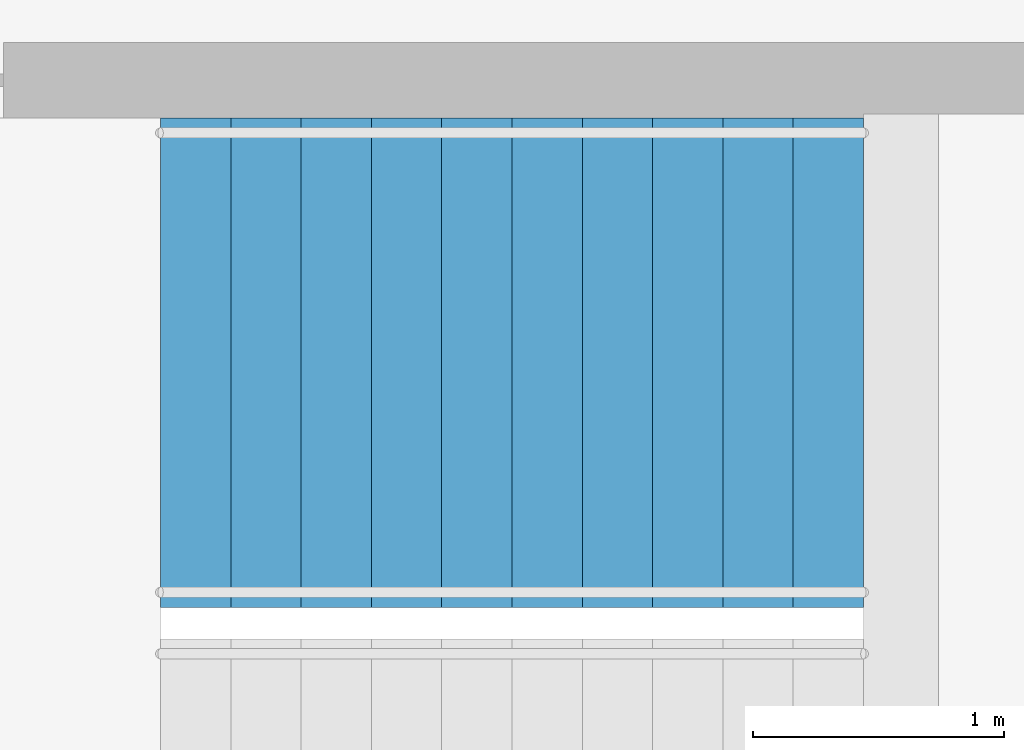
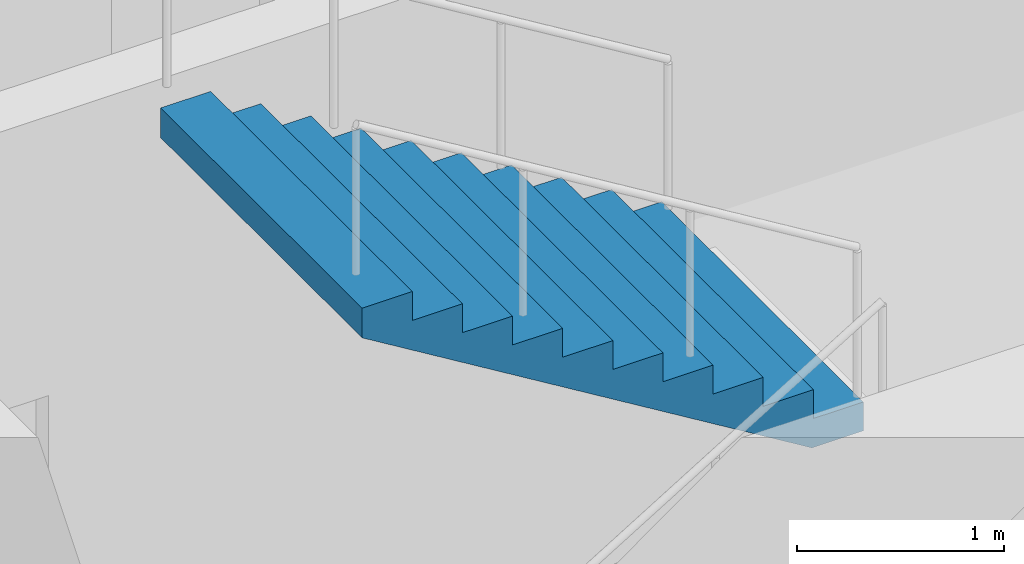
# One storey, part 19 of 22: 1 stair flight, 1 element without a shape of its own.
"""IFC4 building model written with IfcOpenShell, lengths in metres."""

import ifcopenshell
import ifcopenshell.guid

model = None  # the IFC model being written
_history = None  # IfcOwnerHistory: only IFC2X3 demands one
_inside = {}  # id of a spatial element -> (the spatial element, [elements in it])
_under = {}  # id of a project, library or spatial element -> (it, [spatial elements below it])
_declared = {}  # id of a project -> (the project, [libraries it declares])
_typed = {}  # id of a type object -> (the type object, [elements of that type])
_made_of = {}  # id of a material, layer set ... -> (it, [elements and type objects made of it])


def new_model(schema):
    """Start an empty IFC model of exactly this schema.

    Asked for "IFC4X3", IfcOpenShell would pick the latest addendum, in which some entities
    have other attributes; the version numbers below select the first issue.
    IFC2X3 requires an IfcOwnerHistory on every rooted entity: one is made here for all.
    """
    global model, _history
    if schema == "IFC4X3":
        model = ifcopenshell.file(schema_version=(4, 3, 0, 0))
    else:
        model = ifcopenshell.file(schema=schema)
    _inside.clear()
    _under.clear()
    _declared.clear()
    _typed.clear()
    _made_of.clear()
    _history = None
    if model.schema == "IFC2X3":
        org = make("IfcOrganization", Name="unknown")
        user = make(
            "IfcPersonAndOrganization",
            ThePerson=make("IfcPerson", FamilyName="unknown"),
            TheOrganization=org,
        )
        app = make(
            "IfcApplication",
            ApplicationDeveloper=org,
            Version="unknown",
            ApplicationFullName="unknown",
            ApplicationIdentifier="unknown",
        )
        _history = make(
            "IfcOwnerHistory",
            OwningUser=user,
            OwningApplication=app,
            ChangeAction="ADDED",
            CreationDate=0,
        )
    return model


def make(cls, **values):
    """One entity of the class cls with the attributes given. An attribute that is None is left unset."""
    return model.create_entity(
        cls, **{name: value for name, value in values.items() if value is not None}
    )


def rooted(cls, **values):
    """An entity with a GlobalId (a new one), such as an element, a storey or a relation."""
    return make(cls, GlobalId=ifcopenshell.guid.new(), OwnerHistory=_history, **values)


def si_unit(unit_type, name, prefix=None):
    """IfcSIUnit, for example si_unit("LENGTHUNIT", "METRE", prefix="MILLI")."""
    return make("IfcSIUnit", UnitType=unit_type, Prefix=prefix, Name=name)


def assignment(units):
    """IfcUnitAssignment: the units of a project."""
    return None if units is None else make("IfcUnitAssignment", Units=units)


def point(xyz):
    """IfcCartesianPoint."""
    return None if xyz is None else make("IfcCartesianPoint", Coordinates=xyz)


def direction(xyz):
    """IfcDirection."""
    return None if xyz is None else make("IfcDirection", DirectionRatios=xyz)


def frame(location, z_axis=None, x_axis=None):
    """IfcAxis2Placement3D, a coordinate frame: its origin and axes. An axis left out is left unset."""
    return make(
        "IfcAxis2Placement3D",
        Location=point(location),
        Axis=direction(z_axis),
        RefDirection=direction(x_axis),
    )


def origin():
    """The frame at (0, 0, 0) with its axes left unset."""
    return frame((0.0, 0.0, 0.0))


def place(relative_to, where):
    """IfcLocalPlacement: puts the frame where relative to a parent placement (None: the world)."""
    return make(
        "IfcLocalPlacement", PlacementRelTo=relative_to, RelativePlacement=where
    )


def context(
    kind, dimensions, precision=None, world=None, true_north=None, identifier=None
):
    """IfcGeometricRepresentationContext, for example the 3D "Model" context."""
    return make(
        "IfcGeometricRepresentationContext",
        ContextIdentifier=identifier,
        ContextType=kind,
        CoordinateSpaceDimension=dimensions,
        Precision=precision,
        WorldCoordinateSystem=world,
        TrueNorth=true_north,
    )


def subcontext(parent, identifier, kind, view, scale=None):
    """IfcGeometricRepresentationSubContext, for example "Body" below "Model"."""
    return make(
        "IfcGeometricRepresentationSubContext",
        ContextIdentifier=identifier,
        ContextType=kind,
        ParentContext=parent,
        TargetScale=scale,
        TargetView=view,
    )


def project(units=None, contexts=None):
    """IfcProject with its units and contexts."""
    return rooted(
        "IfcProject",
        Name="project",
        RepresentationContexts=contexts,
        UnitsInContext=assignment(units),
    )


def spatial(cls, under=None, at=None, **own):
    """A site, building, storey or space (cls), placed at a placement, below another one or the project."""
    s = rooted(cls, ObjectPlacement=at, **own)
    if under is not None:
        _under.setdefault(under.id(), (under, []))[1].append(s)
    return s


def point_list(points):
    """IfcCartesianPointList2D or 3D."""
    cls = (
        "IfcCartesianPointList2D" if len(points[0]) == 2 else "IfcCartesianPointList3D"
    )
    return make(cls, CoordList=points)


def triangles(points, corners, closed=None, point_numbers=None):
    """IfcTriangulatedFaceSet: each triangle names its three corners, points numbered from 1."""
    return make(
        "IfcTriangulatedFaceSet",
        Coordinates=point_list(points),
        Closed=closed,
        CoordIndex=corners,
        PnIndex=point_numbers,
    )


def shape(context_of_items, identifier, shape_type, items):
    """IfcShapeRepresentation: the items that make up one representation, for example the "Body"."""
    return make(
        "IfcShapeRepresentation",
        ContextOfItems=context_of_items,
        RepresentationIdentifier=identifier,
        RepresentationType=shape_type,
        Items=items,
    )


def material(Name=None, Category=None):
    """IfcMaterial."""
    return make("IfcMaterial", Name=Name, Category=Category)


def made_of(thing, what):
    """Note that an element or type object is made of a material, layer set ...; save() writes the relation."""
    if what is not None:
        _made_of.setdefault(what.id(), (what, []))[1].append(thing)
    return thing


def type_object(cls, material=None, **own):
    """A type object (cls), such as IfcWallType, which elements share."""
    return made_of(rooted(cls, **own), material)


def element(
    cls,
    number,
    at=None,
    inside=None,
    cuts=None,
    type_object=None,
    material=None,
    context=None,
    identifier="Body",
    shape_type=None,
    held_by="IfcProductDefinitionShape",
    body=None,
    shapes=None,
    **own,
):
    """One element of the class cls, such as IfcWall. Its Tag is "e" and its number.

    at: its placement. inside: the storey or other place that contains it. cuts: it is an
    opening in that element (IfcRelVoidsElement). A single representation is given by context,
    identifier, shape_type and body (its items); several are given by shapes. held_by: the class
    of the entity that holds the representations. save() writes the other relations.
    """
    e = rooted(cls, Tag="e%d" % number, ObjectPlacement=at, **own)
    if body is not None:
        shapes = [shape(context, identifier, shape_type, body)]
    if shapes is not None:
        e.Representation = make(held_by, Representations=shapes)
    if inside is not None:
        _inside.setdefault(inside.id(), (inside, []))[1].append(e)
    if cuts is not None:
        rooted(
            "IfcRelVoidsElement", RelatingBuildingElement=cuts, RelatedOpeningElement=e
        )
    if type_object is not None:
        _typed.setdefault(type_object.id(), (type_object, []))[1].append(e)
    return made_of(e, material)


def aggregate(whole, parts):
    """IfcRelAggregates: a whole, such as a stair, and the parts it consists of."""
    return rooted("IfcRelAggregates", RelatingObject=whole, RelatedObjects=parts)


def save(model, path):
    """Write the relations noted so far, then the file.

    IfcRelAggregates (storeys below a building ...), IfcRelContainedInSpatialStructure (elements
    in a storey), IfcRelDefinesByType, IfcRelAssociatesMaterial and IfcRelDeclares: one each for
    every whole, place, type object, material and project.
    """
    for whole, parts in _under.values():
        aggregate(whole, parts)
    for where, things in _inside.values():
        rooted(
            "IfcRelContainedInSpatialStructure",
            RelatedElements=things,
            RelatingStructure=where,
        )
    for kind, things in _typed.values():
        rooted("IfcRelDefinesByType", RelatedObjects=things, RelatingType=kind)
    for what, things in _made_of.values():
        rooted("IfcRelAssociatesMaterial", RelatedObjects=things, RelatingMaterial=what)
    for by, libraries in _declared.values():
        rooted("IfcRelDeclares", RelatingContext=by, RelatedDefinitions=libraries)
    model.write(path)


model = new_model("IFC4")

# Units and contexts
model_context = context("Model", 3, precision=1e-05, world=origin(), true_north=direction((0.0, 1.0)))
body_context = subcontext(model_context, "Body", "Model", "MODEL_VIEW")
ifc_project = project(units=[si_unit("LENGTHUNIT", "METRE"), si_unit("AREAUNIT", "SQUARE_METRE"), si_unit("VOLUMEUNIT", "CUBIC_METRE"), si_unit("PLANEANGLEUNIT", "RADIAN"), si_unit("MASSUNIT", "GRAM", prefix="KILO")], contexts=[model_context])

# Site, building, storey
site_placement = place(None, origin())
site = spatial("IfcSite", under=ifc_project, at=site_placement, CompositionType="ELEMENT")
building_placement = place(site_placement, origin())
building = spatial("IfcBuilding", under=site, at=building_placement, Name="Orbita Commons", CompositionType="ELEMENT")
storey_placement = place(building_placement, frame((0.0, 0.0, 189.85009765625)))
storey = spatial("IfcBuildingStorey", under=building, at=storey_placement, Name="L47", CompositionType="ELEMENT", Elevation=189.85009765625)

# Stair, stair flight
ifc_material_1 = material(Name="Precast concrete C40/50", Category="concrete")
stair_type = type_object("IfcStairType", Name="Exit stair S1 2 flights 11 risers 170", PredefinedType="HALF_TURN_STAIR", material=ifc_material_1)
stair_placement = place(storey_placement, origin())
stair = element("IfcStair", 1, at=stair_placement, inside=storey, type_object=stair_type, Name="Exit stair S1 L47", PredefinedType="HALF_TURN_STAIR")
ifc_material_2 = material(Name="Precast concrete C40/50", Category="concrete")
stair_flight_type = type_object("IfcStairFlightType", Name="Stair flight 11 risers 170 x 280", PredefinedType="STRAIGHT", material=ifc_material_2)
stair_flight_placement = place(storey_placement, frame((23.25, 29.27490234375, 1.875), z_axis=(0.0, 0.0, 1.0), x_axis=(-1.0, 0.0, 0.0)))
stair_flight = element("IfcStairFlight", 2, at=stair_flight_placement, type_object=stair_flight_type, Name="S1 flight 2", NumberOfRisers=11, NumberOfTreads=10, PredefinedType="STRAIGHT", RiserHeight=0.170454545, TreadLength=0.28, context=body_context, shape_type="Tessellation", body=[
    triangles([(0.0, 0.974976, 0.0), (0.0, 0.974976, 0.021307), (0.0, 0.81248, 0.021307), (0.0, 0.81248, 0.0), (0.0, 0.649984, 0.021307), (0.0, 0.649984, 0.0), (0.0, 0.487488, 0.021307), (0.0, 0.487488, 0.0), (0.0, 0.324992, 0.021307), (0.0, 0.324992, 0.0), (0.0, 0.162496, 0.021307), (0.0, 0.162496, 0.0), (0.0, 0.0, 0.021307), (0.0, 0.0, 0.0), (0.0, -0.162496, 0.021307), (0.0, -0.162496, 0.0), (0.0, -0.324992, 0.021307), (0.0, -0.324992, 0.0), (0.0, -0.487488, 0.021307), (0.0, -0.487488, 0.0), (0.0, -0.649984, 0.021307), (0.0, -0.649984, 0.0), (0.0, -0.81248, 0.021307), (0.0, -0.81248, 0.0), (0.0, -0.974976, 0.021307), (0.0, -0.974976, 0.0), (0.0, 0.974976, 0.042614), (0.0, 0.81248, 0.042614), (0.0, 0.649984, 0.042614), (0.0, 0.487488, 0.042614), (0.0, 0.324992, 0.042614), (0.0, 0.162496, 0.042614), (0.0, 0.0, 0.042614), (0.0, -0.162496, 0.042614), (0.0, -0.324992, 0.042614), (0.0, -0.487488, 0.042614), (0.0, -0.649984, 0.042614), (0.0, -0.81248, 0.042614), (0.0, -0.974976, 0.042614), (0.0, 0.974976, 0.06392), (0.0, 0.81248, 0.06392), (0.0, 0.649984, 0.06392), (0.0, 0.487488, 0.06392), (0.0, 0.324992, 0.06392), (0.0, 0.162496, 0.06392), (0.0, 0.0, 0.06392), (0.0, -0.162496, 0.06392), (0.0, -0.324992, 0.06392), (0.0, -0.487488, 0.06392), (0.0, -0.649984, 0.06392), (0.0, -0.81248, 0.06392), (0.0, -0.974976, 0.06392), (0.0, 0.974976, 0.085227), (0.0, 0.81248, 0.085227), (0.0, 0.649984, 0.085227), (0.0, 0.487488, 0.085227), (0.0, 0.324992, 0.085227), (0.0, 0.162496, 0.085227), (0.0, 0.0, 0.085227), (0.0, -0.162496, 0.085227), (0.0, -0.324992, 0.085227), (0.0, -0.487488, 0.085227), (0.0, -0.649984, 0.085227), (0.0, -0.81248, 0.085227), (0.0, -0.974976, 0.085227), (0.0, 0.974976, 0.106534), (0.0, 0.81248, 0.106534), (0.0, 0.649984, 0.106534), (0.0, 0.487488, 0.106534), (0.0, 0.324992, 0.106534), (0.0, 0.162496, 0.106534), (0.0, 0.0, 0.106534), (0.0, -0.162496, 0.106534), (0.0, -0.324992, 0.106534), (0.0, -0.487488, 0.106534), (0.0, -0.649984, 0.106534), (0.0, -0.81248, 0.106534), (0.0, -0.974976, 0.106534), (0.0, 0.974976, 0.127841), (0.0, 0.81248, 0.127841), (0.0, 0.649984, 0.127841), (0.0, 0.487488, 0.127841), (0.0, 0.324992, 0.127841), (0.0, 0.162496, 0.127841), (0.0, 0.0, 0.127841), (0.0, -0.162496, 0.127841), (0.0, -0.324992, 0.127841), (0.0, -0.487488, 0.127841), (0.0, -0.649984, 0.127841), (0.0, -0.81248, 0.127841), (0.0, -0.974976, 0.127841), (0.0, 0.974976, 0.149148), (0.0, 0.81248, 0.149148), (0.0, 0.649984, 0.149148), (0.0, 0.487488, 0.149148), (0.0, 0.324992, 0.149148), (0.0, 0.162496, 0.149148), (0.0, 0.0, 0.149148), (0.0, -0.162496, 0.149148), (0.0, -0.324992, 0.149148), (0.0, -0.487488, 0.149148), (0.0, -0.649984, 0.149148), (0.0, -0.81248, 0.149148), (0.0, -0.974976, 0.149148), (0.0, 0.974976, 0.170455), (0.0, 0.81248, 0.170455), (0.0, 0.649984, 0.170455), (0.0, 0.487488, 0.170455), (0.0, 0.324992, 0.170455), (0.0, 0.162496, 0.170455), (0.0, 0.0, 0.170455), (0.0, -0.162496, 0.170455), (0.0, -0.324992, 0.170455), (0.0, -0.487488, 0.170455), (0.0, -0.649984, 0.170455), (0.0, -0.81248, 0.170455), (0.0, -0.974976, 0.170455), (0.28, 0.974976, 0.170455), (0.28, 0.81248, 0.170455), (0.28, 0.649984, 0.170455), (0.28, 0.487488, 0.170455), (0.28, 0.324992, 0.170455), (0.28, 0.162496, 0.170455), (0.28, 0.0, 0.170455), (0.28, -0.162496, 0.170455), (0.28, -0.324992, 0.170455), (0.28, -0.487488, 0.170455), (0.28, -0.649984, 0.170455), (0.28, -0.81248, 0.170455), (0.28, -0.974976, 0.170455), (0.28, 0.974976, 0.340909), (0.28, 0.81248, 0.340909), (0.28, 0.649984, 0.340909), (0.28, 0.487488, 0.340909), (0.28, 0.324992, 0.340909), (0.28, 0.162496, 0.340909), (0.28, 0.0, 0.340909), (0.28, -0.162496, 0.340909), (0.28, -0.324992, 0.340909), (0.28, -0.487488, 0.340909), (0.28, -0.649984, 0.340909), (0.28, -0.81248, 0.340909), (0.28, -0.974976, 0.340909), (0.56, 0.974976, 0.340909), (0.56, 0.81248, 0.340909), (0.56, 0.649984, 0.340909), (0.56, 0.487488, 0.340909), (0.56, 0.324992, 0.340909), (0.56, 0.162496, 0.340909), (0.56, 0.0, 0.340909), (0.56, -0.162496, 0.340909), (0.56, -0.324992, 0.340909), (0.56, -0.487488, 0.340909), (0.56, -0.649984, 0.340909), (0.56, -0.81248, 0.340909), (0.56, -0.974976, 0.340909), (0.56, 0.974976, 0.511364), (0.56, 0.81248, 0.511364), (0.56, 0.649984, 0.511364), (0.56, 0.487488, 0.511364), (0.56, 0.324992, 0.511364), (0.56, 0.162496, 0.511364), (0.56, 0.0, 0.511364), (0.56, -0.162496, 0.511364), (0.56, -0.324992, 0.511364), (0.56, -0.487488, 0.511364), (0.56, -0.649984, 0.511364), (0.56, -0.81248, 0.511364), (0.56, -0.974976, 0.511364), (0.84, 0.974976, 0.511364), (0.84, 0.81248, 0.511364), (0.84, 0.649984, 0.511364), (0.84, 0.487488, 0.511364), (0.84, 0.324992, 0.511364), (0.84, 0.162496, 0.511364), (0.84, 0.0, 0.511364), (0.84, -0.162496, 0.511364), (0.84, -0.324992, 0.511364), (0.84, -0.487488, 0.511364), (0.84, -0.649984, 0.511364), (0.84, -0.81248, 0.511364), (0.84, -0.974976, 0.511364), (0.84, 0.974976, 0.681818), (0.84, 0.81248, 0.681818), (0.84, 0.649984, 0.681818), (0.84, 0.487488, 0.681818), (0.84, 0.324992, 0.681818), (0.84, 0.162496, 0.681818), (0.84, 0.0, 0.681818), (0.84, -0.162496, 0.681818), (0.84, -0.324992, 0.681818), (0.84, -0.487488, 0.681818), (0.84, -0.649984, 0.681818), (0.84, -0.81248, 0.681818), (0.84, -0.974976, 0.681818), (1.12, 0.974976, 0.681818), (1.12, 0.81248, 0.681818), (1.12, 0.649984, 0.681818), (1.12, 0.487488, 0.681818), (1.12, 0.324992, 0.681818), (1.12, 0.162496, 0.681818), (1.12, 0.0, 0.681818), (1.12, -0.162496, 0.681818), (1.12, -0.324992, 0.681818), (1.12, -0.487488, 0.681818), (1.12, -0.649984, 0.681818), (1.12, -0.81248, 0.681818), (1.12, -0.974976, 0.681818), (1.12, 0.974976, 0.852273), (1.12, 0.81248, 0.852273), (1.12, 0.649984, 0.852273), (1.12, 0.487488, 0.852273), (1.12, 0.324992, 0.852273), (1.12, 0.162496, 0.852273), (1.12, 0.0, 0.852273), (1.12, -0.162496, 0.852273), (1.12, -0.324992, 0.852273), (1.12, -0.487488, 0.852273), (1.12, -0.649984, 0.852273), (1.12, -0.81248, 0.852273), (1.12, -0.974976, 0.852273), (1.4, 0.974976, 0.852273), (1.4, 0.81248, 0.852273), (1.4, 0.649984, 0.852273), (1.4, 0.487488, 0.852273), (1.4, 0.324992, 0.852273), (1.4, 0.162496, 0.852273), (1.4, 0.0, 0.852273), (1.4, -0.162496, 0.852273), (1.4, -0.324992, 0.852273), (1.4, -0.487488, 0.852273), (1.4, -0.649984, 0.852273), (1.4, -0.81248, 0.852273), (1.4, -0.974976, 0.852273), (1.4, 0.974976, 1.022727), (1.4, 0.81248, 1.022727), (1.4, 0.649984, 1.022727), (1.4, 0.487488, 1.022727), (1.4, 0.324992, 1.022727), (1.4, 0.162496, 1.022727), (1.4, 0.0, 1.022727), (1.4, -0.162496, 1.022727), (1.4, -0.324992, 1.022727), (1.4, -0.487488, 1.022727), (1.4, -0.649984, 1.022727), (1.4, -0.81248, 1.022727), (1.4, -0.974976, 1.022727), (1.68, 0.974976, 1.022727), (1.68, 0.81248, 1.022727), (1.68, 0.649984, 1.022727), (1.68, 0.487488, 1.022727), (1.68, 0.324992, 1.022727), (1.68, 0.162496, 1.022727), (1.68, 0.0, 1.022727), (1.68, -0.162496, 1.022727), (1.68, -0.324992, 1.022727), (1.68, -0.487488, 1.022727), (1.68, -0.649984, 1.022727), (1.68, -0.81248, 1.022727), (1.68, -0.974976, 1.022727), (1.68, 0.974976, 1.193182), (1.68, 0.81248, 1.193182), (1.68, 0.649984, 1.193182), (1.68, 0.487488, 1.193182), (1.68, 0.324992, 1.193182), (1.68, 0.162496, 1.193182), (1.68, 0.0, 1.193182), (1.68, -0.162496, 1.193182), (1.68, -0.324992, 1.193182), (1.68, -0.487488, 1.193182), (1.68, -0.649984, 1.193182), (1.68, -0.81248, 1.193182), (1.68, -0.974976, 1.193182), (1.96, 0.974976, 1.193182), (1.96, 0.81248, 1.193182), (1.96, 0.649984, 1.193182), (1.96, 0.487488, 1.193182), (1.96, 0.324992, 1.193182), (1.96, 0.162496, 1.193182), (1.96, 0.0, 1.193182), (1.96, -0.162496, 1.193182), (1.96, -0.324992, 1.193182), (1.96, -0.487488, 1.193182), (1.96, -0.649984, 1.193182), (1.96, -0.81248, 1.193182), (1.96, -0.974976, 1.193182), (1.96, 0.974976, 1.363636), (1.96, 0.81248, 1.363636), (1.96, 0.649984, 1.363636), (1.96, 0.487488, 1.363636), (1.96, 0.324992, 1.363636), (1.96, 0.162496, 1.363636), (1.96, 0.0, 1.363636), (1.96, -0.162496, 1.363636), (1.96, -0.324992, 1.363636), (1.96, -0.487488, 1.363636), (1.96, -0.649984, 1.363636), (1.96, -0.81248, 1.363636), (1.96, -0.974976, 1.363636), (2.24, 0.974976, 1.363636), (2.24, 0.81248, 1.363636), (2.24, 0.649984, 1.363636), (2.24, 0.487488, 1.363636), (2.24, 0.324992, 1.363636), (2.24, 0.162496, 1.363636), (2.24, 0.0, 1.363636), (2.24, -0.162496, 1.363636), (2.24, -0.324992, 1.363636), (2.24, -0.487488, 1.363636), (2.24, -0.649984, 1.363636), (2.24, -0.81248, 1.363636), (2.24, -0.974976, 1.363636), (2.24, 0.974976, 1.534091), (2.24, 0.81248, 1.534091), (2.24, 0.649984, 1.534091), (2.24, 0.487488, 1.534091), (2.24, 0.324992, 1.534091), (2.24, 0.162496, 1.534091), (2.24, 0.0, 1.534091), (2.24, -0.162496, 1.534091), (2.24, -0.324992, 1.534091), (2.24, -0.487488, 1.534091), (2.24, -0.649984, 1.534091), (2.24, -0.81248, 1.534091), (2.24, -0.974976, 1.534091), (2.52, 0.974976, 1.534091), (2.52, 0.81248, 1.534091), (2.52, 0.649984, 1.534091), (2.52, 0.487488, 1.534091), (2.52, 0.324992, 1.534091), (2.52, 0.162496, 1.534091), (2.52, 0.0, 1.534091), (2.52, -0.162496, 1.534091), (2.52, -0.324992, 1.534091), (2.52, -0.487488, 1.534091), (2.52, -0.649984, 1.534091), (2.52, -0.81248, 1.534091), (2.52, -0.974976, 1.534091), (2.52, 0.974976, 1.704545), (2.52, 0.81248, 1.704545), (2.52, 0.649984, 1.704545), (2.52, 0.487488, 1.704545), (2.52, 0.324992, 1.704545), (2.52, 0.162496, 1.704545), (2.52, 0.0, 1.704545), (2.52, -0.162496, 1.704545), (2.52, -0.324992, 1.704545), (2.52, -0.487488, 1.704545), (2.52, -0.649984, 1.704545), (2.52, -0.81248, 1.704545), (2.52, -0.974976, 1.704545), (2.8, 0.974976, 1.704545), (2.8, 0.81248, 1.704545), (2.8, 0.649984, 1.704545), (2.8, 0.487488, 1.704545), (2.8, 0.324992, 1.704545), (2.8, 0.162496, 1.704545), (2.8, 0.0, 1.704545), (2.8, -0.162496, 1.704545), (2.8, -0.324992, 1.704545), (2.8, -0.487488, 1.704545), (2.8, -0.649984, 1.704545), (2.8, -0.81248, 1.704545), (2.8, -0.974976, 1.704545), (2.8, 0.974976, 1.682609), (2.8, 0.81248, 1.682609), (2.8, 0.649984, 1.682609), (2.8, 0.487488, 1.682609), (2.8, 0.324992, 1.682609), (2.8, 0.162496, 1.682609), (2.8, 0.0, 1.682609), (2.8, -0.162496, 1.682609), (2.8, -0.324992, 1.682609), (2.8, -0.487488, 1.682609), (2.8, -0.649984, 1.682609), (2.8, -0.81248, 1.682609), (2.8, -0.974976, 1.682609), (2.8, 0.974976, 1.660672), (2.8, 0.81248, 1.660672), (2.8, 0.649984, 1.660672), (2.8, 0.487488, 1.660672), (2.8, 0.324992, 1.660672), (2.8, 0.162496, 1.660672), (2.8, 0.0, 1.660672), (2.8, -0.162496, 1.660672), (2.8, -0.324992, 1.660672), (2.8, -0.487488, 1.660672), (2.8, -0.649984, 1.660672), (2.8, -0.81248, 1.660672), (2.8, -0.974976, 1.660672), (2.8, 0.974976, 1.638735), (2.8, 0.81248, 1.638735), (2.8, 0.649984, 1.638735), (2.8, 0.487488, 1.638735), (2.8, 0.324992, 1.638735), (2.8, 0.162496, 1.638735), (2.8, 0.0, 1.638735), (2.8, -0.162496, 1.638735), (2.8, -0.324992, 1.638735), (2.8, -0.487488, 1.638735), (2.8, -0.649984, 1.638735), (2.8, -0.81248, 1.638735), (2.8, -0.974976, 1.638735), (2.8, 0.974976, 1.616798), (2.8, 0.81248, 1.616798), (2.8, 0.649984, 1.616798), (2.8, 0.487488, 1.616798), (2.8, 0.324992, 1.616798), (2.8, 0.162496, 1.616798), (2.8, 0.0, 1.616798), (2.8, -0.162496, 1.616798), (2.8, -0.324992, 1.616798), (2.8, -0.487488, 1.616798), (2.8, -0.649984, 1.616798), (2.8, -0.81248, 1.616798), (2.8, -0.974976, 1.616798), (2.8, 0.974976, 1.594861), (2.8, 0.81248, 1.594861), (2.8, 0.649984, 1.594861), (2.8, 0.487488, 1.594861), (2.8, 0.324992, 1.594861), (2.8, 0.162496, 1.594861), (2.8, 0.0, 1.594861), (2.8, -0.162496, 1.594861), (2.8, -0.324992, 1.594861), (2.8, -0.487488, 1.594861), (2.8, -0.649984, 1.594861), (2.8, -0.81248, 1.594861), (2.8, -0.974976, 1.594861), (2.8, 0.974976, 1.572925), (2.8, 0.81248, 1.572925), (2.8, 0.649984, 1.572925), (2.8, 0.487488, 1.572925), (2.8, 0.324992, 1.572925), (2.8, 0.162496, 1.572925), (2.8, 0.0, 1.572925), (2.8, -0.162496, 1.572925), (2.8, -0.324992, 1.572925), (2.8, -0.487488, 1.572925), (2.8, -0.649984, 1.572925), (2.8, -0.81248, 1.572925), (2.8, -0.974976, 1.572925), (2.8, 0.974976, 1.550988), (2.8, 0.81248, 1.550988), (2.8, 0.649984, 1.550988), (2.8, 0.487488, 1.550988), (2.8, 0.324992, 1.550988), (2.8, 0.162496, 1.550988), (2.8, 0.0, 1.550988), (2.8, -0.162496, 1.550988), (2.8, -0.324992, 1.550988), (2.8, -0.487488, 1.550988), (2.8, -0.649984, 1.550988), (2.8, -0.81248, 1.550988), (2.8, -0.974976, 1.550988), (2.8, 0.974976, 1.529051), (2.8, 0.81248, 1.529051), (2.8, 0.649984, 1.529051), (2.8, 0.487488, 1.529051), (2.8, 0.324992, 1.529051), (2.8, 0.162496, 1.529051), (2.8, 0.0, 1.529051), (2.8, -0.162496, 1.529051), (2.8, -0.324992, 1.529051), (2.8, -0.487488, 1.529051), (2.8, -0.649984, 1.529051), (2.8, -0.81248, 1.529051), (2.8, -0.974976, 1.529051), (0.288279, 0.974976, 0.0), (0.288279, 0.81248, 0.0), (0.288279, 0.649984, 0.0), (0.288279, 0.487488, 0.0), (0.288279, 0.324992, 0.0), (0.288279, 0.162496, 0.0), (0.288279, 0.0, 0.0), (0.288279, -0.162496, 0.0), (0.288279, -0.324992, 0.0), (0.288279, -0.487488, 0.0), (0.288279, -0.649984, 0.0), (0.288279, -0.81248, 0.0), (0.288279, -0.974976, 0.0)], [[3, 2, 1], [4, 3, 1], [5, 3, 4], [6, 5, 4], [7, 5, 6], [8, 7, 6], [9, 7, 8], [10, 9, 8], [11, 9, 10], [12, 11, 10], [13, 11, 12], [14, 13, 12], [15, 13, 14], [16, 15, 14], [17, 15, 16], [18, 17, 16], [19, 17, 18], [20, 19, 18], [21, 19, 20], [22, 21, 20], [23, 21, 22], [24, 23, 22], [25, 23, 24], [26, 25, 24], [28, 27, 2], [3, 28, 2], [29, 28, 3], [5, 29, 3], [30, 29, 5], [7, 30, 5], [31, 30, 7], [9, 31, 7], [32, 31, 9], [11, 32, 9], [33, 32, 11], [13, 33, 11], [34, 33, 13], [15, 34, 13], [35, 34, 15], [17, 35, 15], [36, 35, 17], [19, 36, 17], [37, 36, 19], [21, 37, 19], [38, 37, 21], [23, 38, 21], [39, 38, 23], [25, 39, 23], [41, 40, 27], [28, 41, 27], [42, 41, 28], [29, 42, 28], [43, 42, 29], [30, 43, 29], [44, 43, 30], [31, 44, 30], [45, 44, 31], [32, 45, 31], [46, 45, 32], [33, 46, 32], [47, 46, 33], [34, 47, 33], [48, 47, 34], [35, 48, 34], [49, 48, 35], [36, 49, 35], [50, 49, 36], [37, 50, 36], [51, 50, 37], [38, 51, 37], [52, 51, 38], [39, 52, 38], [54, 53, 40], [41, 54, 40], [55, 54, 41], [42, 55, 41], [56, 55, 42], [43, 56, 42], [57, 56, 43], [44, 57, 43], [58, 57, 44], [45, 58, 44], [59, 58, 45], [46, 59, 45], [60, 59, 46], [47, 60, 46], [61, 60, 47], [48, 61, 47], [62, 61, 48], [49, 62, 48], [63, 62, 49], [50, 63, 49], [64, 63, 50], [51, 64, 50], [65, 64, 51], [52, 65, 51], [67, 66, 53], [54, 67, 53], [68, 67, 54], [55, 68, 54], [69, 68, 55], [56, 69, 55], [70, 69, 56], [57, 70, 56], [71, 70, 57], [58, 71, 57], [72, 71, 58], [59, 72, 58], [73, 72, 59], [60, 73, 59], [74, 73, 60], [61, 74, 60], [75, 74, 61], [62, 75, 61], [76, 75, 62], [63, 76, 62], [77, 76, 63], [64, 77, 63], [78, 77, 64], [65, 78, 64], [80, 79, 66], [67, 80, 66], [81, 80, 67], [68, 81, 67], [82, 81, 68], [69, 82, 68], [83, 82, 69], [70, 83, 69], [84, 83, 70], [71, 84, 70], [85, 84, 71], [72, 85, 71], [86, 85, 72], [73, 86, 72], [87, 86, 73], [74, 87, 73], [88, 87, 74], [75, 88, 74], [89, 88, 75], [76, 89, 75], [90, 89, 76], [77, 90, 76], [91, 90, 77], [78, 91, 77], [93, 92, 79], [80, 93, 79], [94, 93, 80], [81, 94, 80], [95, 94, 81], [82, 95, 81], [96, 95, 82], [83, 96, 82], [97, 96, 83], [84, 97, 83], [98, 97, 84], [85, 98, 84], [99, 98, 85], [86, 99, 85], [100, 99, 86], [87, 100, 86], [101, 100, 87], [88, 101, 87], [102, 101, 88], [89, 102, 88], [103, 102, 89], [90, 103, 89], [104, 103, 90], [91, 104, 90], [106, 105, 92], [93, 106, 92], [107, 106, 93], [94, 107, 93], [108, 107, 94], [95, 108, 94], [109, 108, 95], [96, 109, 95], [110, 109, 96], [97, 110, 96], [111, 110, 97], [98, 111, 97], [112, 111, 98], [99, 112, 98], [113, 112, 99], [100, 113, 99], [114, 113, 100], [101, 114, 100], [115, 114, 101], [102, 115, 101], [116, 115, 102], [103, 116, 102], [117, 116, 103], [104, 117, 103], [119, 118, 105], [106, 119, 105], [120, 119, 106], [107, 120, 106], [121, 120, 107], [108, 121, 107], [122, 121, 108], [109, 122, 108], [123, 122, 109], [110, 123, 109], [124, 123, 110], [111, 124, 110], [125, 124, 111], [112, 125, 111], [126, 125, 112], [113, 126, 112], [127, 126, 113], [114, 127, 113], [128, 127, 114], [115, 128, 114], [129, 128, 115], [116, 129, 115], [130, 129, 116], [117, 130, 116], [132, 131, 118], [119, 132, 118], [133, 132, 119], [120, 133, 119], [134, 133, 120], [121, 134, 120], [135, 134, 121], [122, 135, 121], [136, 135, 122], [123, 136, 122], [137, 136, 123], [124, 137, 123], [138, 137, 124], [125, 138, 124], [139, 138, 125], [126, 139, 125], [140, 139, 126], [127, 140, 126], [141, 140, 127], [128, 141, 127], [142, 141, 128], [129, 142, 128], [143, 142, 129], [130, 143, 129], [145, 144, 131], [132, 145, 131], [146, 145, 132], [133, 146, 132], [147, 146, 133], [134, 147, 133], [148, 147, 134], [135, 148, 134], [149, 148, 135], [136, 149, 135], [150, 149, 136], [137, 150, 136], [151, 150, 137], [138, 151, 137], [152, 151, 138], [139, 152, 138], [153, 152, 139], [140, 153, 139], [154, 153, 140], [141, 154, 140], [155, 154, 141], [142, 155, 141], [156, 155, 142], [143, 156, 142], [158, 157, 144], [145, 158, 144], [159, 158, 145], [146, 159, 145], [160, 159, 146], [147, 160, 146], [161, 160, 147], [148, 161, 147], [162, 161, 148], [149, 162, 148], [163, 162, 149], [150, 163, 149], [164, 163, 150], [151, 164, 150], [165, 164, 151], [152, 165, 151], [166, 165, 152], [153, 166, 152], [167, 166, 153], [154, 167, 153], [168, 167, 154], [155, 168, 154], [169, 168, 155], [156, 169, 155], [171, 170, 157], [158, 171, 157], [172, 171, 158], [159, 172, 158], [173, 172, 159], [160, 173, 159], [174, 173, 160], [161, 174, 160], [175, 174, 161], [162, 175, 161], [176, 175, 162], [163, 176, 162], [177, 176, 163], [164, 177, 163], [178, 177, 164], [165, 178, 164], [179, 178, 165], [166, 179, 165], [180, 179, 166], [167, 180, 166], [181, 180, 167], [168, 181, 167], [182, 181, 168], [169, 182, 168], [184, 183, 170], [171, 184, 170], [185, 184, 171], [172, 185, 171], [186, 185, 172], [173, 186, 172], [187, 186, 173], [174, 187, 173], [188, 187, 174], [175, 188, 174], [189, 188, 175], [176, 189, 175], [190, 189, 176], [177, 190, 176], [191, 190, 177], [178, 191, 177], [192, 191, 178], [179, 192, 178], [193, 192, 179], [180, 193, 179], [194, 193, 180], [181, 194, 180], [195, 194, 181], [182, 195, 181], [197, 196, 183], [184, 197, 183], [198, 197, 184], [185, 198, 184], [199, 198, 185], [186, 199, 185], [200, 199, 186], [187, 200, 186], [201, 200, 187], [188, 201, 187], [202, 201, 188], [189, 202, 188], [203, 202, 189], [190, 203, 189], [204, 203, 190], [191, 204, 190], [205, 204, 191], [192, 205, 191], [206, 205, 192], [193, 206, 192], [207, 206, 193], [194, 207, 193], [208, 207, 194], [195, 208, 194], [210, 209, 196], [197, 210, 196], [211, 210, 197], [198, 211, 197], [212, 211, 198], [199, 212, 198], [213, 212, 199], [200, 213, 199], [214, 213, 200], [201, 214, 200], [215, 214, 201], [202, 215, 201], [216, 215, 202], [203, 216, 202], [217, 216, 203], [204, 217, 203], [218, 217, 204], [205, 218, 204], [219, 218, 205], [206, 219, 205], [220, 219, 206], [207, 220, 206], [221, 220, 207], [208, 221, 207], [223, 222, 209], [210, 223, 209], [224, 223, 210], [211, 224, 210], [225, 224, 211], [212, 225, 211], [226, 225, 212], [213, 226, 212], [227, 226, 213], [214, 227, 213], [228, 227, 214], [215, 228, 214], [229, 228, 215], [216, 229, 215], [230, 229, 216], [217, 230, 216], [231, 230, 217], [218, 231, 217], [232, 231, 218], [219, 232, 218], [233, 232, 219], [220, 233, 219], [234, 233, 220], [221, 234, 220], [236, 235, 222], [223, 236, 222], [237, 236, 223], [224, 237, 223], [238, 237, 224], [225, 238, 224], [239, 238, 225], [226, 239, 225], [240, 239, 226], [227, 240, 226], [241, 240, 227], [228, 241, 227], [242, 241, 228], [229, 242, 228], [243, 242, 229], [230, 243, 229], [244, 243, 230], [231, 244, 230], [245, 244, 231], [232, 245, 231], [246, 245, 232], [233, 246, 232], [247, 246, 233], [234, 247, 233], [249, 248, 235], [236, 249, 235], [250, 249, 236], [237, 250, 236], [251, 250, 237], [238, 251, 237], [252, 251, 238], [239, 252, 238], [253, 252, 239], [240, 253, 239], [254, 253, 240], [241, 254, 240], [255, 254, 241], [242, 255, 241], [256, 255, 242], [243, 256, 242], [257, 256, 243], [244, 257, 243], [258, 257, 244], [245, 258, 244], [259, 258, 245], [246, 259, 245], [260, 259, 246], [247, 260, 246], [262, 261, 248], [249, 262, 248], [263, 262, 249], [250, 263, 249], [264, 263, 250], [251, 264, 250], [265, 264, 251], [252, 265, 251], [266, 265, 252], [253, 266, 252], [267, 266, 253], [254, 267, 253], [268, 267, 254], [255, 268, 254], [269, 268, 255], [256, 269, 255], [270, 269, 256], [257, 270, 256], [271, 270, 257], [258, 271, 257], [272, 271, 258], [259, 272, 258], [273, 272, 259], [260, 273, 259], [275, 274, 261], [262, 275, 261], [276, 275, 262], [263, 276, 262], [277, 276, 263], [264, 277, 263], [278, 277, 264], [265, 278, 264], [279, 278, 265], [266, 279, 265], [280, 279, 266], [267, 280, 266], [281, 280, 267], [268, 281, 267], [282, 281, 268], [269, 282, 268], [283, 282, 269], [270, 283, 269], [284, 283, 270], [271, 284, 270], [285, 284, 271], [272, 285, 271], [286, 285, 272], [273, 286, 272], [288, 287, 274], [275, 288, 274], [289, 288, 275], [276, 289, 275], [290, 289, 276], [277, 290, 276], [291, 290, 277], [278, 291, 277], [292, 291, 278], [279, 292, 278], [293, 292, 279], [280, 293, 279], [294, 293, 280], [281, 294, 280], [295, 294, 281], [282, 295, 281], [296, 295, 282], [283, 296, 282], [297, 296, 283], [284, 297, 283], [298, 297, 284], [285, 298, 284], [299, 298, 285], [286, 299, 285], [301, 300, 287], [288, 301, 287], [302, 301, 288], [289, 302, 288], [303, 302, 289], [290, 303, 289], [304, 303, 290], [291, 304, 290], [305, 304, 291], [292, 305, 291], [306, 305, 292], [293, 306, 292], [307, 306, 293], [294, 307, 293], [308, 307, 294], [295, 308, 294], [309, 308, 295], [296, 309, 295], [310, 309, 296], [297, 310, 296], [311, 310, 297], [298, 311, 297], [312, 311, 298], [299, 312, 298], [314, 313, 300], [301, 314, 300], [315, 314, 301], [302, 315, 301], [316, 315, 302], [303, 316, 302], [317, 316, 303], [304, 317, 303], [318, 317, 304], [305, 318, 304], [319, 318, 305], [306, 319, 305], [320, 319, 306], [307, 320, 306], [321, 320, 307], [308, 321, 307], [322, 321, 308], [309, 322, 308], [323, 322, 309], [310, 323, 309], [324, 323, 310], [311, 324, 310], [325, 324, 311], [312, 325, 311], [327, 326, 313], [314, 327, 313], [328, 327, 314], [315, 328, 314], [329, 328, 315], [316, 329, 315], [330, 329, 316], [317, 330, 316], [331, 330, 317], [318, 331, 317], [332, 331, 318], [319, 332, 318], [333, 332, 319], [320, 333, 319], [334, 333, 320], [321, 334, 320], [335, 334, 321], [322, 335, 321], [336, 335, 322], [323, 336, 322], [337, 336, 323], [324, 337, 323], [338, 337, 324], [325, 338, 324], [340, 339, 326], [327, 340, 326], [341, 340, 327], [328, 341, 327], [342, 341, 328], [329, 342, 328], [343, 342, 329], [330, 343, 329], [344, 343, 330], [331, 344, 330], [345, 344, 331], [332, 345, 331], [346, 345, 332], [333, 346, 332], [347, 346, 333], [334, 347, 333], [348, 347, 334], [335, 348, 334], [349, 348, 335], [336, 349, 335], [350, 349, 336], [337, 350, 336], [351, 350, 337], [338, 351, 337], [353, 352, 339], [340, 353, 339], [354, 353, 340], [341, 354, 340], [355, 354, 341], [342, 355, 341], [356, 355, 342], [343, 356, 342], [357, 356, 343], [344, 357, 343], [358, 357, 344], [345, 358, 344], [359, 358, 345], [346, 359, 345], [360, 359, 346], [347, 360, 346], [361, 360, 347], [348, 361, 347], [362, 361, 348], [349, 362, 348], [363, 362, 349], [350, 363, 349], [364, 363, 350], [351, 364, 350], [366, 365, 352], [353, 366, 352], [367, 366, 353], [354, 367, 353], [368, 367, 354], [355, 368, 354], [369, 368, 355], [356, 369, 355], [370, 369, 356], [357, 370, 356], [371, 370, 357], [358, 371, 357], [372, 371, 358], [359, 372, 358], [373, 372, 359], [360, 373, 359], [374, 373, 360], [361, 374, 360], [375, 374, 361], [362, 375, 361], [376, 375, 362], [363, 376, 362], [377, 376, 363], [364, 377, 363], [379, 378, 365], [366, 379, 365], [380, 379, 366], [367, 380, 366], [381, 380, 367], [368, 381, 367], [382, 381, 368], [369, 382, 368], [383, 382, 369], [370, 383, 369], [384, 383, 370], [371, 384, 370], [385, 384, 371], [372, 385, 371], [386, 385, 372], [373, 386, 372], [387, 386, 373], [374, 387, 373], [388, 387, 374], [375, 388, 374], [389, 388, 375], [376, 389, 375], [390, 389, 376], [377, 390, 376], [392, 391, 378], [379, 392, 378], [393, 392, 379], [380, 393, 379], [394, 393, 380], [381, 394, 380], [395, 394, 381], [382, 395, 381], [396, 395, 382], [383, 396, 382], [397, 396, 383], [384, 397, 383], [398, 397, 384], [385, 398, 384], [399, 398, 385], [386, 399, 385], [400, 399, 386], [387, 400, 386], [401, 400, 387], [388, 401, 387], [402, 401, 388], [389, 402, 388], [403, 402, 389], [390, 403, 389], [405, 404, 391], [392, 405, 391], [406, 405, 392], [393, 406, 392], [407, 406, 393], [394, 407, 393], [408, 407, 394], [395, 408, 394], [409, 408, 395], [396, 409, 395], [410, 409, 396], [397, 410, 396], [411, 410, 397], [398, 411, 397], [412, 411, 398], [399, 412, 398], [413, 412, 399], [400, 413, 399], [414, 413, 400], [401, 414, 400], [415, 414, 401], [402, 415, 401], [416, 415, 402], [403, 416, 402], [418, 417, 404], [405, 418, 404], [419, 418, 405], [406, 419, 405], [420, 419, 406], [407, 420, 406], [421, 420, 407], [408, 421, 407], [422, 421, 408], [409, 422, 408], [423, 422, 409], [410, 423, 409], [424, 423, 410], [411, 424, 410], [425, 424, 411], [412, 425, 411], [426, 425, 412], [413, 426, 412], [427, 426, 413], [414, 427, 413], [428, 427, 414], [415, 428, 414], [429, 428, 415], [416, 429, 415], [431, 430, 417], [418, 431, 417], [432, 431, 418], [419, 432, 418], [433, 432, 419], [420, 433, 419], [434, 433, 420], [421, 434, 420], [435, 434, 421], [422, 435, 421], [436, 435, 422], [423, 436, 422], [437, 436, 423], [424, 437, 423], [438, 437, 424], [425, 438, 424], [439, 438, 425], [426, 439, 425], [440, 439, 426], [427, 440, 426], [441, 440, 427], [428, 441, 427], [442, 441, 428], [429, 442, 428], [444, 443, 430], [431, 444, 430], [445, 444, 431], [432, 445, 431], [446, 445, 432], [433, 446, 432], [447, 446, 433], [434, 447, 433], [448, 447, 434], [435, 448, 434], [449, 448, 435], [436, 449, 435], [450, 449, 436], [437, 450, 436], [451, 450, 437], [438, 451, 437], [452, 451, 438], [439, 452, 438], [453, 452, 439], [440, 453, 439], [454, 453, 440], [441, 454, 440], [455, 454, 441], [442, 455, 441], [457, 456, 443], [444, 457, 443], [458, 457, 444], [445, 458, 444], [459, 458, 445], [446, 459, 445], [460, 459, 446], [447, 460, 446], [461, 460, 447], [448, 461, 447], [462, 461, 448], [449, 462, 448], [463, 462, 449], [450, 463, 449], [464, 463, 450], [451, 464, 450], [465, 464, 451], [452, 465, 451], [466, 465, 452], [453, 466, 452], [467, 466, 453], [454, 467, 453], [468, 467, 454], [455, 468, 454], [470, 469, 456], [457, 470, 456], [471, 470, 457], [458, 471, 457], [472, 471, 458], [459, 472, 458], [473, 472, 459], [460, 473, 459], [474, 473, 460], [461, 474, 460], [475, 474, 461], [462, 475, 461], [476, 475, 462], [463, 476, 462], [477, 476, 463], [464, 477, 463], [478, 477, 464], [465, 478, 464], [479, 478, 465], [466, 479, 465], [480, 479, 466], [467, 480, 466], [481, 480, 467], [468, 481, 467], [4, 1, 469], [470, 4, 469], [6, 4, 470], [471, 6, 470], [8, 6, 471], [472, 8, 471], [10, 8, 472], [473, 10, 472], [12, 10, 473], [474, 12, 473], [14, 12, 474], [475, 14, 474], [16, 14, 475], [476, 16, 475], [18, 16, 476], [477, 18, 476], [20, 18, 477], [478, 20, 477], [22, 20, 478], [479, 22, 478], [24, 22, 479], [480, 24, 479], [26, 24, 480], [481, 26, 480], [456, 469, 1], [26, 481, 468], [443, 456, 1], [26, 468, 455], [430, 443, 1], [26, 455, 442], [417, 430, 1], [26, 442, 429], [404, 417, 1], [26, 429, 416], [391, 404, 1], [26, 416, 403], [378, 391, 1], [26, 403, 390], [365, 378, 1], [26, 390, 377], [339, 352, 365], [377, 364, 351], [326, 339, 365], [377, 351, 338], [300, 313, 326], [338, 325, 312], [300, 326, 365], [377, 338, 312], [274, 287, 300], [312, 299, 286], [274, 300, 365], [377, 312, 286], [248, 261, 274], [286, 273, 260], [248, 274, 365], [377, 286, 260], [222, 235, 248], [260, 247, 234], [222, 248, 365], [377, 260, 234], [196, 209, 222], [234, 221, 208], [196, 222, 365], [377, 234, 208], [170, 183, 196], [208, 195, 182], [170, 196, 365], [377, 208, 182], [144, 157, 170], [182, 169, 156], [144, 170, 365], [377, 182, 156], [118, 131, 144], [156, 143, 130], [118, 144, 365], [377, 156, 130], [118, 365, 1], [26, 377, 130], [92, 105, 118], [130, 117, 104], [79, 92, 118], [130, 104, 91], [66, 79, 118], [130, 91, 78], [53, 66, 118], [130, 78, 65], [40, 53, 118], [130, 65, 52], [27, 40, 118], [130, 52, 39], [2, 27, 118], [130, 39, 25], [1, 2, 118], [130, 25, 26]], closed=True),
])
aggregate(stair, [stair_flight])

save(model, "model.ifc")
